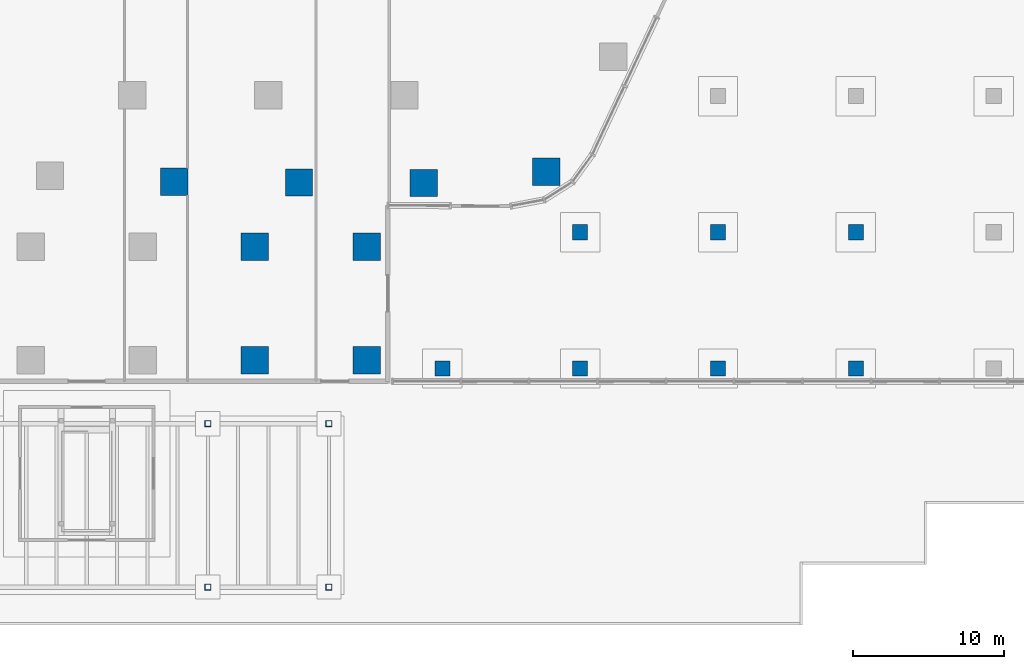
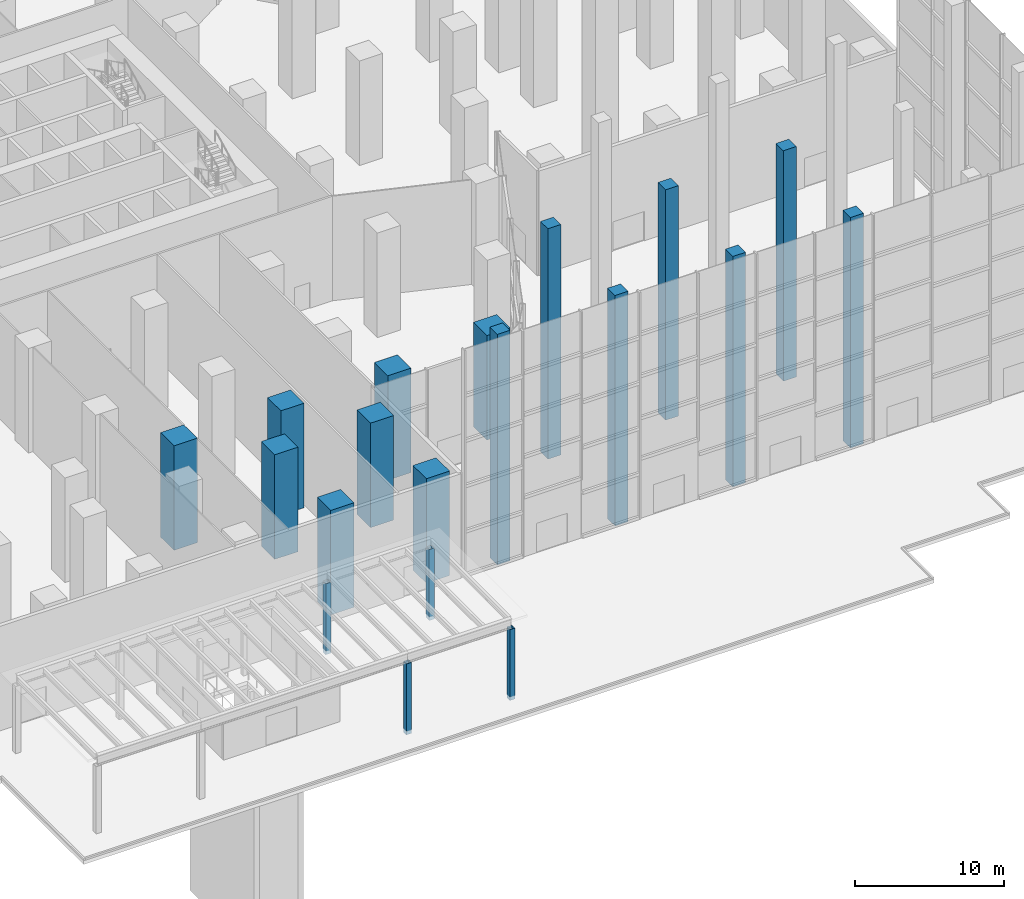
# One storey, part 4 of 40: 19 columns.
"""IFC4 building model written with IfcOpenShell, lengths in metres."""

from ifc_helpers import new_model, si_unit, direction, frame, origin, origin_2d, place, context, subcontext, project, spatial, rectangle, hollow_rectangle, extrude, material, material_profile, profile_set, type_object, element, save


model = new_model("IFC4")

# Units and contexts
model_context = context("Model", 3, precision=1e-05, world=origin(), true_north=direction((0.0, 1.0)))
body_context = subcontext(model_context, "Body", "Model", "MODEL_VIEW")
ifc_project = project(units=[si_unit("LENGTHUNIT", "METRE"), si_unit("AREAUNIT", "SQUARE_METRE"), si_unit("VOLUMEUNIT", "CUBIC_METRE"), si_unit("PLANEANGLEUNIT", "RADIAN"), si_unit("MASSUNIT", "GRAM", prefix="KILO")], contexts=[model_context])

# Site, building, storey
site_placement = place(None, origin())
site = spatial("IfcSite", under=ifc_project, at=site_placement, CompositionType="ELEMENT")
building_placement = place(site_placement, origin())
building = spatial("IfcBuilding", under=site, at=building_placement, Name="Dongbaek Canopy Tower", CompositionType="ELEMENT")
storey_placement = place(building_placement, origin())
storey = spatial("IfcBuildingStorey", under=building, at=storey_placement, Name="L00", CompositionType="ELEMENT", Elevation=0.0)

# Columns
ifc_material_1 = material(Name="Concrete C80", Category="concrete")
ifc_material_profile_1 = material_profile(ifc_material_1, rectangle(XDim=1.800048828125, YDim=1.800048828125, at=origin_2d()), Name="RC COLUMN 1800x1800 C80")
ifc_profile_set_1 = profile_set([ifc_material_profile_1], Name="Concrete C80")
column_type_1 = type_object("IfcColumnType", Name="RC COLUMN 1800x1800 C80", PredefinedType="COLUMN", material=ifc_profile_set_1)
for number, where, z_axis, x_axis, name in (
    (1, (18.367919921875, -32.04296875, 0.0), (0.0, 0.0, 1.0), (1.0, 0.0, 0.0), "COL:CP-01:L00"),
    (2, (10.277099609375, -32.7900390625, 0.0), (0.0, 0.0, 1.0), (1.0, 0.0, 0.0), "COL:CP-02:L00"),
    (3, (2.027099609375, -32.7529296875, 0.0), (0.0, 0.0, 1.0), (1.0, 0.0, 0.0), "COL:CP-03:L00"),
    (4, (-6.221923828125, -32.717041015625, 0.0), (0.0, 0.0, 1.0), (1.0, 0.0, 0.0), "COL:CP-04:L00"),
    (5, (-0.89990234375, -44.5, 0.0), (0.0, 0.0, 1.0), (1.0, 0.0, 0.0), "COL:CWSA-11:L00"),
    (6, (-0.89990234375, -37.0, 0.0), (0.0, 0.0, 1.0), (1.0, 0.0, 0.0), "COL:CWSA-12:L00"),
    (7, (6.5, -44.5, 0.0), (0.0, 0.0, 1.0), (1.0, 0.0, 0.0), "COL:CWSA-13:L00"),
    (8, (6.5, -37.0, 0.0), (0.0, 0.0, 1.0), (1.0, 0.0, 0.0), "COL:CWSA-14:L00"),
):
    element("IfcColumn", number, at=place(storey_placement, frame(where, z_axis=z_axis, x_axis=x_axis)), inside=storey, type_object=column_type_1, Name=name, PredefinedType="COLUMN", context=body_context, shape_type="SweptSolid", body=[
        extrude(rectangle(XDim=1.800048828125, YDim=1.800048828125, at=origin_2d()), origin(), (0.0, 0.0, 1.0), 8.550048828125),
    ])
ifc_material_2 = material(Name="Concrete C60", Category="concrete")
ifc_material_profile_2 = material_profile(ifc_material_2, rectangle(XDim=1.0, YDim=1.0, at=origin_2d()), Name="RC HALL COLUMN 1000x1000 C60")
ifc_profile_set_2 = profile_set([ifc_material_profile_2], Name="Concrete C60")
column_type_2 = type_object("IfcColumnType", Name="RC HALL COLUMN 1000x1000 C60", PredefinedType="COLUMN", material=ifc_profile_set_2)
for number, where, z_axis, x_axis, name in (
    (9, (11.5, -45.050048828125, -0.300048828125), (0.0, 0.0, 1.0), (1.0, 0.0, 0.0), "Hall column 21"),
    (10, (20.610107421875, -45.050048828125, -0.300048828125), (0.0, 0.0, 1.0), (1.0, 0.0, 0.0), "Hall column 22"),
    (11, (29.719970703125, -45.050048828125, -0.300048828125), (0.0, 0.0, 1.0), (1.0, 0.0, 0.0), "Hall column 23"),
    (12, (38.830078125, -45.050048828125, -0.300048828125), (0.0, 0.0, 1.0), (1.0, 0.0, 0.0), "Hall column 24"),
    (13, (20.610107421875, -36.050048828125, -0.300048828125), (0.0, 0.0, 1.0), (1.0, 0.0, 0.0), "Hall column 27"),
    (14, (29.719970703125, -36.050048828125, -0.300048828125), (0.0, 0.0, 1.0), (1.0, 0.0, 0.0), "Hall column 28"),
    (15, (38.830078125, -36.050048828125, -0.300048828125), (0.0, 0.0, 1.0), (1.0, 0.0, 0.0), "Hall column 29"),
):
    element("IfcColumn", number, at=place(storey_placement, frame(where, z_axis=z_axis, x_axis=x_axis)), inside=storey, type_object=column_type_2, Name=name, PredefinedType="COLUMN", context=body_context, shape_type="SweptSolid", body=[
        extrude(rectangle(XDim=1.0, YDim=1.0, at=origin_2d()), origin(), (0.0, 0.0, 1.0), 18.85009765625),
    ])
ifc_material_3 = material(Name="Steel S355", Category="steel")
ifc_material_profile_3 = material_profile(ifc_material_3, hollow_rectangle(XDim=0.39990234375, YDim=0.39990234375, WallThickness=0.01611328125, at=origin_2d()), Name="STATION CANOPY COLUMN 400x400x16 Steel S355")
ifc_profile_set_3 = profile_set([ifc_material_profile_3], Name="Steel S355")
column_type_3 = type_object("IfcColumnType", Name="STATION CANOPY COLUMN 400x400x16 Steel S355", PredefinedType="COLUMN", material=ifc_profile_set_3)
for number, where, z_axis, x_axis, name in (
    (16, (-4.0, -48.699951171875, -0.300048828125), (0.0, 0.0, 1.0), (1.0, 0.0, 0.0), "Station canopy A column 5"),
    (17, (-4.0, -59.5, -0.300048828125), (0.0, 0.0, 1.0), (1.0, 0.0, 0.0), "Station canopy A column 6"),
    (18, (4.0, -48.699951171875, -0.300048828125), (0.0, 0.0, 1.0), (1.0, 0.0, 0.0), "Station canopy A column 7"),
    (19, (4.0, -59.5, -0.300048828125), (0.0, 0.0, 1.0), (1.0, 0.0, 0.0), "Station canopy A column 8"),
):
    element("IfcColumn", number, at=place(storey_placement, frame(where, z_axis=z_axis, x_axis=x_axis)), inside=storey, type_object=column_type_3, Name=name, PredefinedType="COLUMN", context=body_context, shape_type="SweptSolid", body=[
        extrude(hollow_rectangle(XDim=0.39990234375, YDim=0.39990234375, WallThickness=0.01611328125, at=origin_2d()), origin(), (0.0, 0.0, 1.0), 5.800048828125),
    ])

save(model, "model.ifc")
